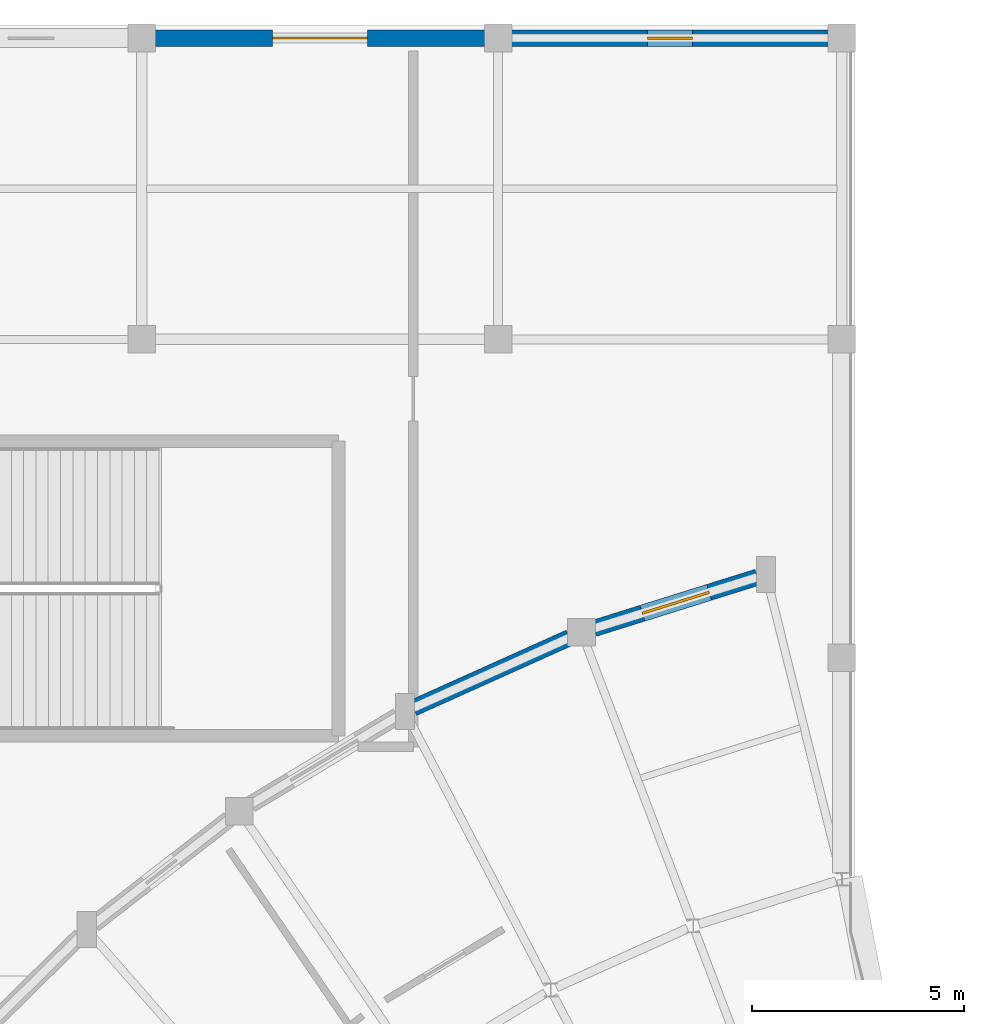
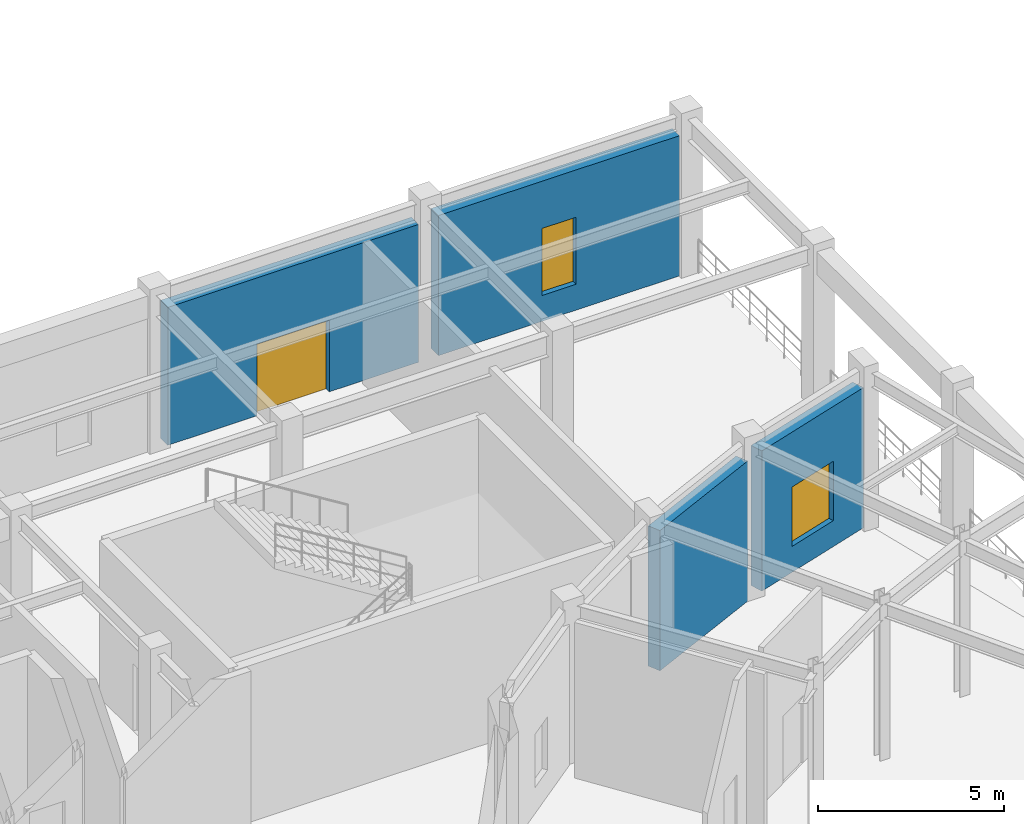
# One storey, part 58 of 93: 4 walls, 2 windows, 1 door, 3 openings.
"""IFC4 building model written with IfcOpenShell, lengths in metres."""

from ifc_helpers import new_model, si_unit, direction, frame, frame_2d, origin, place, context, subcontext, project, spatial, rectangle, extrude, material, layer, layer_set, type_object, element, fill, save


model = new_model("IFC4")

# Units and contexts
model_context = context("Model", 3, precision=1e-05, world=origin(), true_north=direction((0.0, 1.0)))
body_context = subcontext(model_context, "Body", "Model", "MODEL_VIEW")
ifc_project = project(units=[si_unit("LENGTHUNIT", "METRE"), si_unit("AREAUNIT", "SQUARE_METRE"), si_unit("VOLUMEUNIT", "CUBIC_METRE"), si_unit("PLANEANGLEUNIT", "RADIAN"), si_unit("MASSUNIT", "GRAM", prefix="KILO")], contexts=[model_context])

# Site, building, storey
site_placement = place(None, origin())
site = spatial("IfcSite", under=ifc_project, at=site_placement, CompositionType="ELEMENT")
building_placement = place(site_placement, origin())
building = spatial("IfcBuilding", under=site, at=building_placement, Name="Cinderbank Siding Concert Hall", CompositionType="ELEMENT")
storey_placement = place(building_placement, origin())
storey = spatial("IfcBuildingStorey", under=building, at=storey_placement, Name="L01", CompositionType="ELEMENT", Elevation=0.0)

# Wall, opening, window
ifc_material_1 = material(Name="Sydney Hawkesbury sandstone ashlar masonry", Category="masonry")
ifc_layer = layer(ifc_material_1, 0.389892578125)
ifc_layer_set = layer_set([ifc_layer], Name="Sydney Hawkesbury sandstone ashlar masonry")
wall_type = type_object("IfcWallType", Name="WL-09 Exterior Wall 390mm", PredefinedType="STANDARD", material=ifc_layer_set)
wall_1_placement = place(storey_placement, frame((46.509765625, 105.196533203125, 0.0), z_axis=(0.0, 0.0, 1.0), x_axis=(-0.954240646812, -0.299039776572, 0.0)))
wall_1 = element("IfcWall", 1, at=wall_1_placement, inside=storey, type_object=wall_type, Name="L01 Facade Wall EW-WOUT-L01-01", PredefinedType="STANDARD", context=body_context, shape_type="SweptSolid", body=[
    extrude(rectangle(XDim=4.03466796875, YDim=0.389892578125, at=frame_2d((2.017333984375, 0.0))), origin(), (0.0, 0.0, 1.0), 4.60009765625),
])
opening_1_placement = place(wall_1_placement, frame((1.1923828125, 0.0, 0.85009765625)))
opening_1 = element("IfcOpeningElement", 2, at=opening_1_placement, cuts=wall_1, Name="Opening WN-15", PredefinedType="OPENING", context=body_context, shape_type="SweptSolid", body=[
    extrude(rectangle(XDim=1.64990234375, YDim=1.949951171875, at=frame_2d((0.824951171875, 0.97509765625))), frame((0.0, 0.20703125, 0.0), z_axis=(0.0, -1.0, 0.0), x_axis=(1.0, 0.0, 0.0)), (0.0, 0.0, 1.0), 0.413818359375),
])
ifc_material_2 = material(Name="Double-glazed laminated acoustic glass", Category="glass")
window_type_1 = type_object("IfcWindowType", Name="WN-15 Acoustic Casement Window 1650x1950", PartitioningType="DOUBLE_PANEL_VERTICAL", PredefinedType="WINDOW", material=ifc_material_2)
window_1_placement = place(opening_1_placement, origin())
window_1 = element("IfcWindow", 3, at=window_1_placement, inside=storey, type_object=window_type_1, Name="L01 Facade Window #1", OverallHeight=1.949951171875, OverallWidth=1.64990234375, PartitioningType="DOUBLE_PANEL_VERTICAL", PredefinedType="WINDOW", context=body_context, shape_type="SweptSolid", body=[
    extrude(rectangle(XDim=1.64990234375, YDim=1.949951171875, at=frame_2d((0.824951171875, 0.97509765625))), frame((0.0, 0.030029296875, 0.0), z_axis=(0.0, -1.0, 0.0), x_axis=(1.0, 0.0, 0.0)), (0.0, 0.0, 1.0), 0.06005859375),
])
fill(opening_1, window_1)

# Wall
wall_2_placement = place(storey_placement, frame((42.0810546875, 103.770263671875, 0.0), z_axis=(0.0, 0.0, 1.0), x_axis=(-0.912109351568, -0.409946985331, 0.0)))
element("IfcWall", 4, at=wall_2_placement, inside=storey, type_object=wall_type, Name="L01 Facade Wall EW-WOUT-L01-02", PredefinedType="STANDARD", context=body_context, shape_type="SweptSolid", body=[
    extrude(rectangle(XDim=4.034912109375, YDim=0.389892578125, at=frame_2d((2.017578125, 0.0))), origin(), (0.0, 0.0, 1.0), 4.60009765625),
])

# Wall, opening, door
wall_3_placement = place(storey_placement, frame((32.31005859375, 117.89990234375, 0.0), z_axis=(0.0, 0.0, 1.0), x_axis=(1.0, 0.0, 0.0)))
wall_3 = element("IfcWall", 5, at=wall_3_placement, inside=storey, type_object=wall_type, Name="L01 Facade Wall EW-NW-N2-L01", PredefinedType="STANDARD", context=body_context, shape_type="SweptSolid", body=[
    extrude(rectangle(XDim=7.780029296875, YDim=0.389892578125, at=frame_2d((3.89013671875, 0.0))), origin(), (0.0, 0.0, 1.0), 4.52490234375),
])
opening_2_placement = place(wall_3_placement, frame((2.77001953125, 0.0, 0.0)))
opening_2 = element("IfcOpeningElement", 6, at=opening_2_placement, cuts=wall_3, Name="Opening ED-D1", PredefinedType="OPENING", context=body_context, shape_type="SweptSolid", body=[
    extrude(rectangle(XDim=2.239990234375, YDim=2.35009765625, at=frame_2d((1.1201171875, 1.175048828125))), frame((0.0, 0.20703125, 0.0), z_axis=(0.0, -1.0, 0.0), x_axis=(1.0, 0.0, 0.0)), (0.0, 0.0, 1.0), 0.413818359375),
])
ifc_material_3 = material(Name="Galvanised sheet steel acoustic fire door assembly", Category="steel")
door_type = type_object("IfcDoorType", Name="ED-D1 Exterior Door 2240x2350", OperationType="DOUBLE_DOOR_SINGLE_SWING", PredefinedType="DOOR", material=ifc_material_3)
door_placement = place(opening_2_placement, origin())
door = element("IfcDoor", 7, at=door_placement, inside=storey, type_object=door_type, Name="Perimeter Final Exit NW-N2", OperationType="DOUBLE_DOOR_SINGLE_SWING", OverallHeight=2.35009765625, OverallWidth=2.239990234375, PredefinedType="DOOR", context=body_context, shape_type="SweptSolid", body=[
    extrude(rectangle(XDim=2.239990234375, YDim=2.35009765625, at=frame_2d((1.1201171875, 1.175048828125))), frame((0.0, 0.02490234375, 0.0), z_axis=(0.0, -1.0, 0.0), x_axis=(1.0, 0.0, 0.0)), (0.0, 0.0, 1.0), 0.050048828125),
])
fill(opening_2, door)

# Wall, opening, window
wall_4_placement = place(storey_placement, frame((40.7099609375, 117.89990234375, 0.0), z_axis=(0.0, 0.0, 1.0), x_axis=(1.0, 0.0, 0.0)))
wall_4 = element("IfcWall", 8, at=wall_4_placement, inside=storey, type_object=wall_type, Name="L01 Facade Wall EW-NW-N3-L01", PredefinedType="STANDARD", context=body_context, shape_type="SweptSolid", body=[
    extrude(rectangle(XDim=7.47998046875, YDim=0.389892578125, at=frame_2d((3.739990234375, 0.0))), origin(), (0.0, 0.0, 1.0), 4.60009765625),
])
opening_3_placement = place(wall_4_placement, frame((3.215087890625, 0.0, 0.85009765625)))
opening_3 = element("IfcOpeningElement", 9, at=opening_3_placement, cuts=wall_4, Name="Opening WN-03", PredefinedType="OPENING", context=body_context, shape_type="SweptSolid", body=[
    extrude(rectangle(XDim=1.050048828125, YDim=2.199951171875, at=frame_2d((0.52490234375, 1.10009765625))), frame((0.0, 0.20703125, 0.0), z_axis=(0.0, -1.0, 0.0), x_axis=(1.0, 0.0, 0.0)), (0.0, 0.0, 1.0), 0.413818359375),
])
window_type_2 = type_object("IfcWindowType", Name="WN-03 Acoustic Casement Window 1050x2200", PartitioningType="DOUBLE_PANEL_VERTICAL", PredefinedType="WINDOW", material=ifc_material_2)
window_2_placement = place(opening_3_placement, origin())
window_2 = element("IfcWindow", 10, at=window_2_placement, inside=storey, type_object=window_type_2, Name="L01 Facade Window #141", OverallHeight=2.199951171875, OverallWidth=1.050048828125, PartitioningType="DOUBLE_PANEL_VERTICAL", PredefinedType="WINDOW", context=body_context, shape_type="SweptSolid", body=[
    extrude(rectangle(XDim=1.050048828125, YDim=2.199951171875, at=frame_2d((0.52490234375, 1.10009765625))), frame((0.0, 0.030029296875, 0.0), z_axis=(0.0, -1.0, 0.0), x_axis=(1.0, 0.0, 0.0)), (0.0, 0.0, 1.0), 0.06005859375),
])
fill(opening_3, window_2)

save(model, "model.ifc")
